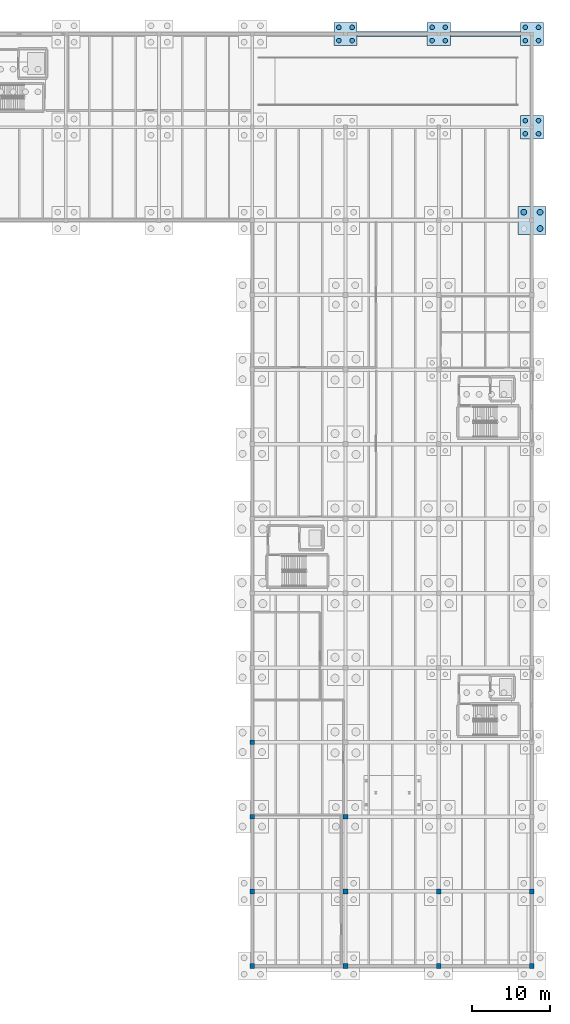
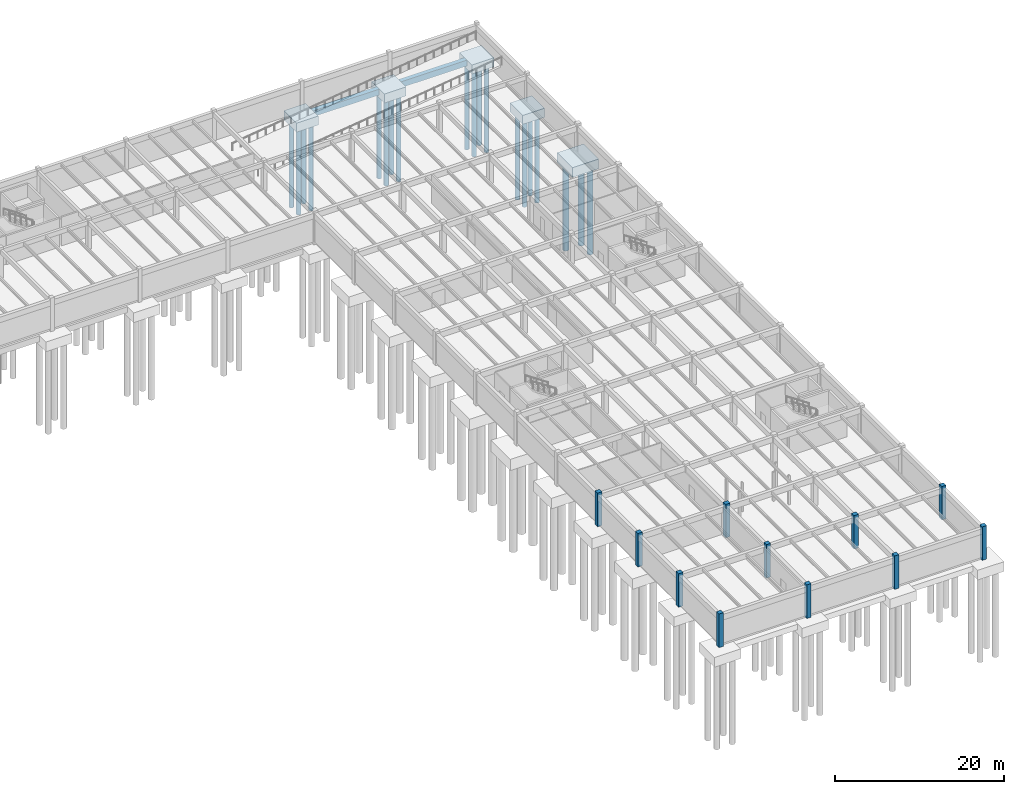
# One storey, part 3 of 20: 19 piles, 11 columns, 7 footings.
"""IFC4 building model written with IfcOpenShell, lengths in metres."""

from ifc_helpers import new_model, si_unit, direction, frame, origin, origin_2d, place, context, subcontext, project, spatial, rectangle, circle, extrude, material, material_profile, profile_set, type_object, element, save


model = new_model("IFC4")

# Units and contexts
model_context = context("Model", 3, precision=1e-05, world=origin(), true_north=direction((0.0, 1.0)))
body_context = subcontext(model_context, "Body", "Model", "MODEL_VIEW")
ifc_project = project(units=[si_unit("LENGTHUNIT", "METRE"), si_unit("AREAUNIT", "SQUARE_METRE"), si_unit("VOLUMEUNIT", "CUBIC_METRE"), si_unit("PLANEANGLEUNIT", "RADIAN"), si_unit("MASSUNIT", "GRAM", prefix="KILO")], contexts=[model_context])

# Site, building, storey
site_placement = place(None, origin())
site = spatial("IfcSite", under=ifc_project, at=site_placement, CompositionType="ELEMENT")
building_placement = place(site_placement, origin())
building = spatial("IfcBuilding", under=site, at=building_placement, Name="Pandanus Reach Market Hall", CompositionType="ELEMENT")
storey_placement = place(building_placement, frame((0.0, 0.0, -4.5)))
storey = spatial("IfcBuildingStorey", under=building, at=storey_placement, Name="B1", CompositionType="ELEMENT", Elevation=-4.5)

# Footings
ifc_material = material(Name="Concrete N40 (40 MPa)", Category="concrete")
footing_type_1 = type_object("IfcFootingType", Name="FB-02", PredefinedType="FOOTING_BEAM", material=ifc_material)
for number, where, z_axis, x_axis, name in (
    (1, (162.0, 120.0, -1.199951171875), (0.0, 0.0, 1.0), (1.0, 0.0, 0.0), "Ground tie beam FB-02 19"),
    (2, (174.0, 120.0, -1.199951171875), (0.0, 0.0, 1.0), (1.0, 0.0, 0.0), "Ground tie beam FB-02 20"),
):
    element("IfcFooting", number, at=place(storey_placement, frame(where, z_axis=z_axis, x_axis=x_axis)), inside=storey, type_object=footing_type_1, Name=name, PredefinedType="FOOTING_BEAM", context=body_context, shape_type="SweptSolid", body=[
        extrude(rectangle(XDim=9.0, YDim=0.60009765625, at=origin_2d()), origin(), (0.0, 0.0, 1.0), 0.85009765625),
    ])
footing_type_2 = type_object("IfcFootingType", Name="PC-01", PredefinedType="PILE_CAP", material=ifc_material)
for number, where, z_axis, x_axis, name in (
    (3, (156.0, 120.0, -1.64990234375), (0.0, 0.0, 1.0), (1.0, 0.0, 0.0), "Pile cap PC-01 at V5-156-1200"),
    (4, (168.0, 120.0, -1.64990234375), (0.0, 0.0, 1.0), (1.0, 0.0, 0.0), "Pile cap PC-01 at V5-168-1200"),
    (5, (180.0, 108.0, -1.64990234375), (0.0, 0.0, 1.0), (1.0, 0.0, 0.0), "Pile cap PC-01 at V5-180-1080"),
    (6, (180.0, 120.0, -1.64990234375), (0.0, 0.0, 1.0), (1.0, 0.0, 0.0), "Pile cap PC-01 at V5-180-1200"),
):
    element("IfcFooting", number, at=place(storey_placement, frame(where, z_axis=z_axis, x_axis=x_axis)), inside=storey, type_object=footing_type_2, Name=name, PredefinedType="PILE_CAP", context=body_context, shape_type="SweptSolid", body=[
        extrude(rectangle(XDim=3.0, YDim=3.0, at=origin_2d()), origin(), (0.0, 0.0, 1.0), 1.300048828125),
    ])
footing_type_3 = type_object("IfcFootingType", Name="PC-02", PredefinedType="PILE_CAP", material=ifc_material)
footing_placement = place(storey_placement, frame((180.0, 96.0, -1.75), z_axis=(0.0, 0.0, 1.0), x_axis=(1.0, 0.0, 0.0)))
element("IfcFooting", 7, at=footing_placement, inside=storey, type_object=footing_type_3, Name="Pile cap PC-02 at V4-180-960", PredefinedType="PILE_CAP", context=body_context, shape_type="SweptSolid", body=[
    extrude(rectangle(XDim=3.60009765625, YDim=3.60009765625, at=origin_2d()), origin(), (0.0, 0.0, 1.0), 1.39990234375),
])

# Piles
ifc_material_profile_1 = material_profile(ifc_material, circle(Radius=0.300048828125, at=origin_2d()), Name="PILE-600D", Category="LoadBearing")
ifc_profile_set_1 = profile_set([ifc_material_profile_1], Name="Concrete N40 (40 MPa)")
pile_type_1 = type_object("IfcPileType", Name="PL-600", PredefinedType="BORED", material=ifc_profile_set_1)
for number, where, z_axis, x_axis, name in (
    (8, (155.14990234375, 119.14990234375, -1.550048828125), (0.0, 0.0, -1.0), (1.0, 0.0, 0.0), "Bored pile PL-600 V5-156-1200.1"),
    (9, (155.14990234375, 120.85009765625, -1.550048828125), (0.0, 0.0, -1.0), (1.0, 0.0, 0.0), "Bored pile PL-600 V5-156-1200.2"),
    (10, (156.85009765625, 119.14990234375, -1.550048828125), (0.0, 0.0, -1.0), (1.0, 0.0, 0.0), "Bored pile PL-600 V5-156-1200.3"),
    (11, (156.85009765625, 120.85009765625, -1.550048828125), (0.0, 0.0, -1.0), (1.0, 0.0, 0.0), "Bored pile PL-600 V5-156-1200.4"),
    (12, (167.14990234375, 119.14990234375, -1.550048828125), (0.0, 0.0, -1.0), (1.0, 0.0, 0.0), "Bored pile PL-600 V5-168-1200.1"),
    (13, (167.14990234375, 120.85009765625, -1.550048828125), (0.0, 0.0, -1.0), (1.0, 0.0, 0.0), "Bored pile PL-600 V5-168-1200.2"),
    (14, (168.85009765625, 119.14990234375, -1.550048828125), (0.0, 0.0, -1.0), (1.0, 0.0, 0.0), "Bored pile PL-600 V5-168-1200.3"),
    (15, (168.85009765625, 120.85009765625, -1.550048828125), (0.0, 0.0, -1.0), (1.0, 0.0, 0.0), "Bored pile PL-600 V5-168-1200.4"),
    (16, (179.14990234375, 107.14990234375, -1.550048828125), (0.0, 0.0, -1.0), (1.0, 0.0, 0.0), "Bored pile PL-600 V5-180-1080.1"),
    (17, (179.14990234375, 108.85009765625, -1.550048828125), (0.0, 0.0, -1.0), (1.0, 0.0, 0.0), "Bored pile PL-600 V5-180-1080.2"),
    (18, (180.85009765625, 107.14990234375, -1.550048828125), (0.0, 0.0, -1.0), (1.0, 0.0, 0.0), "Bored pile PL-600 V5-180-1080.3"),
    (19, (180.85009765625, 108.85009765625, -1.550048828125), (0.0, 0.0, -1.0), (1.0, 0.0, 0.0), "Bored pile PL-600 V5-180-1080.4"),
    (20, (179.14990234375, 119.14990234375, -1.550048828125), (0.0, 0.0, -1.0), (1.0, 0.0, 0.0), "Bored pile PL-600 V5-180-1200.1"),
    (21, (179.14990234375, 120.85009765625, -1.550048828125), (0.0, 0.0, -1.0), (1.0, 0.0, 0.0), "Bored pile PL-600 V5-180-1200.2"),
    (22, (180.85009765625, 119.14990234375, -1.550048828125), (0.0, 0.0, -1.0), (1.0, 0.0, 0.0), "Bored pile PL-600 V5-180-1200.3"),
    (23, (180.85009765625, 120.85009765625, -1.550048828125), (0.0, 0.0, -1.0), (1.0, 0.0, 0.0), "Bored pile PL-600 V5-180-1200.4"),
):
    element("IfcPile", number, at=place(storey_placement, frame(where, z_axis=z_axis, x_axis=x_axis)), inside=storey, type_object=pile_type_1, Name=name, PredefinedType="BORED", context=body_context, shape_type="SweptSolid", body=[
        extrude(circle(Radius=0.300048828125, at=origin_2d()), origin(), (0.0, 0.0, 1.0), 12.5),
    ])
ifc_material_profile_2 = material_profile(ifc_material, circle(Radius=0.375, at=origin_2d()), Name="PILE-750D", Category="LoadBearing")
ifc_profile_set_2 = profile_set([ifc_material_profile_2], Name="Concrete N40 (40 MPa)")
pile_type_2 = type_object("IfcPileType", Name="PL-750", PredefinedType="BORED", material=ifc_profile_set_2)
for number, where, z_axis, x_axis, name in (
    (24, (178.949951171875, 97.050048828125, -1.64990234375), (0.0, 0.0, -1.0), (1.0, 0.0, 0.0), "Bored pile PL-750 V4-180-960.2"),
    (25, (181.050048828125, 94.949951171875, -1.64990234375), (0.0, 0.0, -1.0), (1.0, 0.0, 0.0), "Bored pile PL-750 V4-180-960.3"),
    (26, (181.050048828125, 97.050048828125, -1.64990234375), (0.0, 0.0, -1.0), (1.0, 0.0, 0.0), "Bored pile PL-750 V4-180-960.4"),
):
    element("IfcPile", number, at=place(storey_placement, frame(where, z_axis=z_axis, x_axis=x_axis)), inside=storey, type_object=pile_type_2, Name=name, PredefinedType="BORED", context=body_context, shape_type="SweptSolid", body=[
        extrude(circle(Radius=0.375, at=origin_2d()), origin(), (0.0, 0.0, 1.0), 12.5),
    ])

# Columns
ifc_material_profile_3 = material_profile(ifc_material, rectangle(XDim=0.60009765625, YDim=0.60009765625, at=origin_2d()), Name="RC600x600", Category="LoadBearing")
ifc_profile_set_3 = profile_set([ifc_material_profile_3], Name="Concrete N40 (40 MPa)")
column_type_1 = type_object("IfcColumnType", Name="CL-RC600-E", PredefinedType="COLUMN", material=ifc_profile_set_3)
for number, where, z_axis, x_axis, name in (
    (27, (144.0, 0.0, -0.35009765625), (0.0, 0.0, 1.0), (1.0, 0.0, 0.0), "Column CL-RC600-E V4-144-0 B1"),
    (28, (144.0, 9.60009765625, -0.35009765625), (0.0, 0.0, 1.0), (1.0, 0.0, 0.0), "Column CL-RC600-E V4-144-96 B1"),
    (29, (144.0, 19.199951171875, -0.35009765625), (0.0, 0.0, 1.0), (1.0, 0.0, 0.0), "Column CL-RC600-E V4-144-192 B1"),
    (30, (144.0, 28.800048828125, -0.35009765625), (0.0, 0.0, 1.0), (1.0, 0.0, 0.0), "Column CL-RC600-E V4-144-288 B1"),
    (31, (156.0, 0.0, -0.35009765625), (0.0, 0.0, 1.0), (1.0, 0.0, 0.0), "Column CL-RC600-E V4-156-0 B1"),
    (32, (168.0, 0.0, -0.35009765625), (0.0, 0.0, 1.0), (1.0, 0.0, 0.0), "Column CL-RC600-E V4-168-0 B1"),
    (33, (180.0, 0.0, -0.35009765625), (0.0, 0.0, 1.0), (1.0, 0.0, 0.0), "Column CL-RC600-E V4-180-0 B1"),
    (34, (180.0, 9.60009765625, -0.35009765625), (0.0, 0.0, 1.0), (1.0, 0.0, 0.0), "Column CL-RC600-E V4-180-96 B1"),
):
    element("IfcColumn", number, at=place(storey_placement, frame(where, z_axis=z_axis, x_axis=x_axis)), inside=storey, type_object=column_type_1, Name=name, PredefinedType="COLUMN", context=body_context, shape_type="SweptSolid", body=[
        extrude(rectangle(XDim=0.60009765625, YDim=0.60009765625, at=origin_2d()), origin(), (0.0, 0.0, 1.0), 4.85009765625),
    ])
ifc_material_profile_4 = material_profile(ifc_material, rectangle(XDim=0.60009765625, YDim=0.60009765625, at=origin_2d()), Name="RC600x600", Category="LoadBearing")
ifc_profile_set_4 = profile_set([ifc_material_profile_4], Name="Concrete N40 (40 MPa)")
column_type_2 = type_object("IfcColumnType", Name="CL-RC600-I", PredefinedType="COLUMN", material=ifc_profile_set_4)
for number, where, z_axis, x_axis, name in (
    (35, (156.0, 9.60009765625, -0.35009765625), (0.0, 0.0, 1.0), (1.0, 0.0, 0.0), "Column CL-RC600-I V4-156-96 B1"),
    (36, (156.0, 19.199951171875, -0.35009765625), (0.0, 0.0, 1.0), (1.0, 0.0, 0.0), "Column CL-RC600-I V4-156-192 B1"),
    (37, (168.0, 9.60009765625, -0.35009765625), (0.0, 0.0, 1.0), (1.0, 0.0, 0.0), "Column CL-RC600-I V4-168-96 B1"),
):
    element("IfcColumn", number, at=place(storey_placement, frame(where, z_axis=z_axis, x_axis=x_axis)), inside=storey, type_object=column_type_2, Name=name, PredefinedType="COLUMN", context=body_context, shape_type="SweptSolid", body=[
        extrude(rectangle(XDim=0.60009765625, YDim=0.60009765625, at=origin_2d()), origin(), (0.0, 0.0, 1.0), 4.85009765625),
    ])

save(model, "model.ifc")
